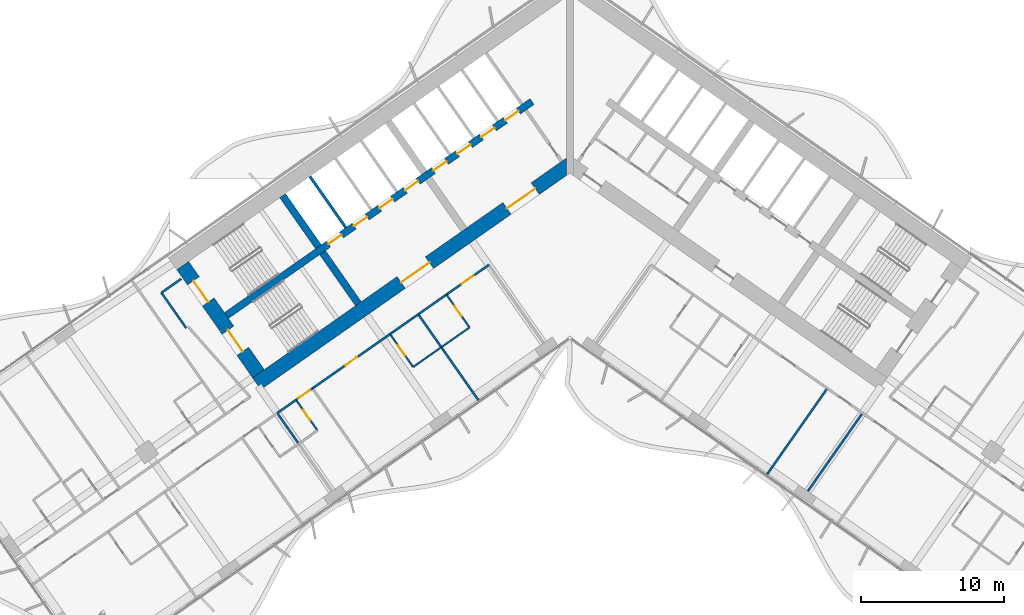
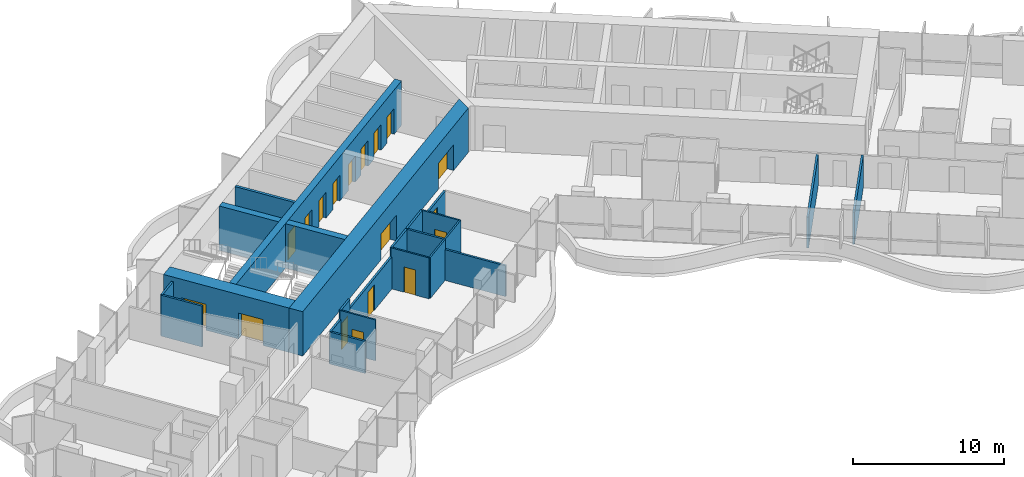
# One storey, part 13 of 23: 24 walls, 18 doors, 18 openings.
"""IFC4 building model written with IfcOpenShell, lengths in metres."""

from ifc_helpers import new_model, si_unit, direction, frame, frame_2d, origin, place, context, subcontext, project, spatial, polyline, rectangle, outline, extrude, material, layer, layer_set, type_object, element, fill, save


model = new_model("IFC4")

# Units and contexts
model_context = context("Model", 3, precision=1e-05, world=origin(), true_north=direction((0.0, 1.0)))
body_context = subcontext(model_context, "Body", "Model", "MODEL_VIEW")
ifc_project = project(units=[si_unit("LENGTHUNIT", "METRE"), si_unit("AREAUNIT", "SQUARE_METRE"), si_unit("VOLUMEUNIT", "CUBIC_METRE"), si_unit("PLANEANGLEUNIT", "RADIAN"), si_unit("MASSUNIT", "GRAM", prefix="KILO")], contexts=[model_context])

# Site, building, storey
site_placement = place(None, origin())
site = spatial("IfcSite", under=ifc_project, at=site_placement, CompositionType="ELEMENT")
building_placement = place(site_placement, origin())
building = spatial("IfcBuilding", under=site, at=building_placement, Name="Tel Ilan Convention Tower", CompositionType="ELEMENT")
storey_placement = place(building_placement, frame((0.0, 0.0, 79.699951171875)))
storey = spatial("IfcBuildingStorey", under=building, at=storey_placement, Name="L15", CompositionType="ELEMENT", Elevation=79.699951171875)

# Wall, openings, doors
ifc_material_1 = material(Name="Concrete C60/75", Category="concrete")
ifc_layer_1 = layer(ifc_material_1, 1.0)
ifc_layer_set_1 = layer_set([ifc_layer_1], Name="Core Shear Wall 1000 mm C60/75")
wall_type_1 = type_object("IfcWallType", Name="Core Shear Wall 1000 mm C60/75", PredefinedType="SHEAR", material=ifc_layer_set_1)
wall_1_placement = place(storey_placement, frame((0.036865234375, -0.584716796875, 0.0), z_axis=(0.0, 0.0, 1.0), x_axis=(-0.819157152511, -0.573569140985, 0.0)))
wall_1 = element("IfcWall", 1, at=wall_1_placement, inside=storey, type_object=wall_type_1, Name="L15 core wall W-front", PredefinedType="SHEAR", context=body_context, shape_type="SweptSolid", body=[
    extrude(outline(polyline([(26.69482421875, 0.500244140625), (0.7001953125, 0.499755859375), (0.0, -0.5), (26.69482421875, -0.499755859375), (26.69482421875, 0.500244140625)])), origin(), (0.0, 0.0, 1.0), 3.60009765625),
])
opening_1_placement = place(wall_1_placement, frame((2.994873046875, 0.0, 0.0)))
opening_1 = element("IfcOpeningElement", 2, at=opening_1_placement, cuts=wall_1, Name="Opening CD1505", PredefinedType="OPENING", context=body_context, shape_type="SweptSolid", body=[
    extrude(rectangle(XDim=2.39990234375, YDim=2.10009765625, at=frame_2d((1.199951171875, 1.050048828125))), frame((0.0, 0.510009765625, 0.0), z_axis=(0.0, -1.0, 0.0), x_axis=(1.0, 0.0, 0.0)), (0.0, 0.0, 1.0), 1.02001953125),
])
opening_2_placement = place(wall_1_placement, frame((11.994873046875, 0.0, 0.0)))
opening_2 = element("IfcOpeningElement", 3, at=opening_2_placement, cuts=wall_1, Name="Opening CD1506", PredefinedType="OPENING", context=body_context, shape_type="SweptSolid", body=[
    extrude(rectangle(XDim=2.39990234375, YDim=2.10009765625, at=frame_2d((1.199951171875, 1.050048828125))), frame((0.0, 0.510009765625, 0.0), z_axis=(0.0, -1.0, 0.0), x_axis=(1.0, 0.0, 0.0)), (0.0, 0.0, 1.0), 1.02001953125),
])
ifc_material_2 = material(Name="Glazed Aluminium Door Leaf", Category="aluminium")
door_type_1 = type_object("IfcDoorType", Name="Lobby Opening Door 2400 x 2100 FD60S", OperationType="NOTDEFINED", PredefinedType="DOOR", material=ifc_material_2)
door_1_placement = place(opening_1_placement, origin())
door_1 = element("IfcDoor", 4, at=door_1_placement, inside=storey, type_object=door_type_1, Name="Lift Lobby LR1-LR4 opening", OperationType="DOUBLE_DOOR_SINGLE_SWING", OverallHeight=2.10009765625, OverallWidth=2.39990234375, PredefinedType="DOOR", context=body_context, shape_type="SweptSolid", body=[
    extrude(rectangle(XDim=2.39990234375, YDim=2.10009765625, at=frame_2d((1.199951171875, 1.050048828125))), frame((0.0, 0.02490234375, 0.0), z_axis=(0.0, -1.0, 0.0), x_axis=(1.0, 0.0, 0.0)), (0.0, 0.0, 1.0), 0.050048828125),
])
fill(opening_1, door_1)
door_2_placement = place(opening_2_placement, origin())
door_2 = element("IfcDoor", 5, at=door_2_placement, inside=storey, type_object=door_type_1, Name="Lift Lobby LR5-LR8 opening", OperationType="DOUBLE_DOOR_SINGLE_SWING", OverallHeight=2.10009765625, OverallWidth=2.39990234375, PredefinedType="DOOR", context=body_context, shape_type="SweptSolid", body=[
    extrude(rectangle(XDim=2.39990234375, YDim=2.10009765625, at=frame_2d((1.199951171875, 1.050048828125))), frame((0.0, 0.02490234375, 0.0), z_axis=(0.0, -1.0, 0.0), x_axis=(1.0, 0.0, 0.0)), (0.0, 0.0, 1.0), 0.050048828125),
])
fill(opening_2, door_2)

wall_2_placement = place(storey_placement, frame((-21.70751953125, -15.19970703125, 0.0), z_axis=(0.0, 0.0, 1.0), x_axis=(-0.573576324356, 0.819152122709, 0.0)))
wall_2 = element("IfcWall", 6, at=wall_2_placement, inside=storey, type_object=wall_type_1, Name="L15 core wall W-end", PredefinedType="SHEAR", context=body_context, shape_type="SweptSolid", body=[
    extrude(outline(polyline([(0.0, 0.5), (0.0, -0.5), (9.199951171875, -0.5), (9.199951171875, 0.5), (0.0, 0.5)])), origin(), (0.0, 0.0, 1.0), 3.60009765625),
])
opening_3_placement = place(wall_2_placement, frame((6.10009765625, 0.0, 0.0)))
opening_3 = element("IfcOpeningElement", 7, at=opening_3_placement, cuts=wall_2, Name="Opening SD1501", PredefinedType="OPENING", context=body_context, shape_type="SweptSolid", body=[
    extrude(rectangle(XDim=1.800048828125, YDim=2.10009765625, at=frame_2d((0.89990234375, 1.050048828125))), frame((0.0, 0.510009765625, 0.0), z_axis=(0.0, -1.0, 0.0), x_axis=(1.0, 0.0, 0.0)), (0.0, 0.0, 1.0), 1.02001953125),
])
opening_4_placement = place(wall_2_placement, frame((1.89990234375, 0.0, 0.0)))
opening_4 = element("IfcOpeningElement", 8, at=opening_4_placement, cuts=wall_2, Name="Opening SD1502", PredefinedType="OPENING", context=body_context, shape_type="SweptSolid", body=[
    extrude(rectangle(XDim=1.800048828125, YDim=2.10009765625, at=frame_2d((0.89990234375, 1.050048828125))), frame((0.0, 0.510009765625, 0.0), z_axis=(0.0, -1.0, 0.0), x_axis=(1.0, 0.0, 0.0)), (0.0, 0.0, 1.0), 1.02001953125),
])
ifc_material_3 = material(Name="Galvanised Steel Door Leaf", Category="steel")
door_type_2 = type_object("IfcDoorType", Name="Stair Fire Door 1800 x 2100 FD60S", OperationType="NOTDEFINED", PredefinedType="DOOR", material=ifc_material_3)
door_3_placement = place(opening_3_placement, origin())
door_3 = element("IfcDoor", 9, at=door_3_placement, inside=storey, type_object=door_type_2, Name="Stair S1 door", OperationType="DOUBLE_DOOR_SINGLE_SWING", OverallHeight=2.10009765625, OverallWidth=1.800048828125, PredefinedType="DOOR", context=body_context, shape_type="SweptSolid", body=[
    extrude(rectangle(XDim=1.800048828125, YDim=2.10009765625, at=frame_2d((0.89990234375, 1.050048828125))), frame((0.0, 0.02490234375, 0.0), z_axis=(0.0, -1.0, 0.0), x_axis=(1.0, 0.0, 0.0)), (0.0, 0.0, 1.0), 0.050048828125),
])
fill(opening_3, door_3)
door_4_placement = place(opening_4_placement, origin())
door_4 = element("IfcDoor", 10, at=door_4_placement, inside=storey, type_object=door_type_2, Name="Stair S2 door", OperationType="DOUBLE_DOOR_SINGLE_SWING", OverallHeight=2.10009765625, OverallWidth=1.800048828125, PredefinedType="DOOR", context=body_context, shape_type="SweptSolid", body=[
    extrude(rectangle(XDim=1.800048828125, YDim=2.10009765625, at=frame_2d((0.89990234375, 1.050048828125))), frame((0.0, 0.02490234375, 0.0), z_axis=(0.0, -1.0, 0.0), x_axis=(1.0, 0.0, 0.0)), (0.0, 0.0, 1.0), 0.050048828125),
])
fill(opening_4, door_4)

# Walls
ifc_material_4 = material(Name="Concrete C60/75", Category="concrete")
ifc_layer_2 = layer(ifc_material_4, 0.5)
ifc_layer_set_2 = layer_set([ifc_layer_2], Name="Core Shear Wall 500 mm C60/75")
wall_type_2 = type_object("IfcWallType", Name="Core Shear Wall 500 mm C60/75", PredefinedType="SHEAR", material=ifc_layer_set_2)
wall_3_placement = place(storey_placement, frame((-14.74462890625, -10.324462890625, 0.0), z_axis=(0.0, 0.0, 1.0), x_axis=(-0.57356780395, 0.819158088694, 0.0)))
element("IfcWall", 11, at=wall_3_placement, inside=storey, type_object=wall_type_2, Name="L15 core wall W-cross2-1", PredefinedType="SHEAR", context=body_context, shape_type="SweptSolid", body=[
    extrude(outline(polyline([(4.35009765625, 0.250244140625), (0.0, 0.25), (0.0, -0.25), (4.35009765625, -0.25), (4.35009765625, 0.250244140625)])), origin(), (0.0, 0.0, 1.0), 3.60009765625),
])
wall_4_placement = place(storey_placement, frame((-17.526611328125, -6.3515625, 0.0), z_axis=(0.0, 0.0, 1.0), x_axis=(-0.573530143085, 0.819184457233, 0.0)))
element("IfcWall", 12, at=wall_4_placement, inside=storey, type_object=wall_type_2, Name="L15 core wall W-cross2-2", PredefinedType="SHEAR", context=body_context, shape_type="SweptSolid", body=[
    extrude(outline(polyline([(4.35009765625, -0.249755859375), (4.35009765625, 0.250244140625), (0.0, 0.25), (0.0, -0.25), (4.35009765625, -0.249755859375)])), origin(), (0.0, 0.0, 1.0), 3.60009765625),
])

# Wall, openings, doors
wall_5_placement = place(storey_placement, frame((-2.638427734375, 3.76806640625, 0.0), z_axis=(0.0, 0.0, 1.0), x_axis=(-0.819148977158, -0.573580816643, 0.0)))
wall_5 = element("IfcWall", 13, at=wall_5_placement, inside=storey, type_object=wall_type_2, Name="L15 core wall W-spine", PredefinedType="SHEAR", context=body_context, shape_type="SweptSolid", body=[
    extrude(outline(polyline([(26.0, 0.249755859375), (0.0, 0.25), (0.0, -0.25), (26.0, -0.250244140625), (26.0, 0.249755859375)])), origin(), (0.0, 0.0, 1.0), 3.60009765625),
])
opening_5_placement = place(wall_5_placement, frame((1.168701171875, 0.0, 0.0)))
opening_5 = element("IfcOpeningElement", 14, at=opening_5_placement, cuts=wall_5, Name="Opening LD1504", PredefinedType="OPENING", context=body_context, shape_type="SweptSolid", body=[
    extrude(rectangle(XDim=1.10009765625, YDim=2.10009765625, at=frame_2d((0.550048828125, 1.050048828125))), frame((0.0, 0.260009765625, 0.0), z_axis=(0.0, -1.0, 0.0), x_axis=(1.0, 0.0, 0.0)), (0.0, 0.0, 1.0), 0.52001953125),
])
opening_6_placement = place(wall_5_placement, frame((3.206298828125, 0.0, 0.0)))
opening_6 = element("IfcOpeningElement", 15, at=opening_6_placement, cuts=wall_5, Name="Opening LD1505", PredefinedType="OPENING", context=body_context, shape_type="SweptSolid", body=[
    extrude(rectangle(XDim=1.10009765625, YDim=2.10009765625, at=frame_2d((0.550048828125, 1.050048828125))), frame((0.0, 0.260009765625, 0.0), z_axis=(0.0, -1.0, 0.0), x_axis=(1.0, 0.0, 0.0)), (0.0, 0.0, 1.0), 0.52001953125),
])
opening_7_placement = place(wall_5_placement, frame((5.24365234375, 0.0, 0.0)))
opening_7 = element("IfcOpeningElement", 16, at=opening_7_placement, cuts=wall_5, Name="Opening LD1506", PredefinedType="OPENING", context=body_context, shape_type="SweptSolid", body=[
    extrude(rectangle(XDim=1.10009765625, YDim=2.10009765625, at=frame_2d((0.550048828125, 1.050048828125))), frame((0.0, 0.260009765625, 0.0), z_axis=(0.0, -1.0, 0.0), x_axis=(1.0, 0.0, 0.0)), (0.0, 0.0, 1.0), 0.52001953125),
])
opening_8_placement = place(wall_5_placement, frame((7.28125, 0.0, 0.0)))
opening_8 = element("IfcOpeningElement", 17, at=opening_8_placement, cuts=wall_5, Name="Opening LD1507", PredefinedType="OPENING", context=body_context, shape_type="SweptSolid", body=[
    extrude(rectangle(XDim=1.10009765625, YDim=2.10009765625, at=frame_2d((0.550048828125, 1.050048828125))), frame((0.0, 0.260009765625, 0.0), z_axis=(0.0, -1.0, 0.0), x_axis=(1.0, 0.0, 0.0)), (0.0, 0.0, 1.0), 0.52001953125),
])
opening_9_placement = place(wall_5_placement, frame((9.6875, 0.0, 0.0)))
opening_9 = element("IfcOpeningElement", 18, at=opening_9_placement, cuts=wall_5, Name="Opening LD1508", PredefinedType="OPENING", context=body_context, shape_type="SweptSolid", body=[
    extrude(rectangle(XDim=1.10009765625, YDim=2.10009765625, at=frame_2d((0.550048828125, 1.050048828125))), frame((0.0, 0.260009765625, 0.0), z_axis=(0.0, -1.0, 0.0), x_axis=(1.0, 0.0, 0.0)), (0.0, 0.0, 1.0), 0.52001953125),
])
opening_10_placement = place(wall_5_placement, frame((11.862548828125, 0.0, 0.0)))
opening_10 = element("IfcOpeningElement", 19, at=opening_10_placement, cuts=wall_5, Name="Opening LD1509", PredefinedType="OPENING", context=body_context, shape_type="SweptSolid", body=[
    extrude(rectangle(XDim=1.10009765625, YDim=2.10009765625, at=frame_2d((0.550048828125, 1.050048828125))), frame((0.0, 0.260009765625, 0.0), z_axis=(0.0, -1.0, 0.0), x_axis=(1.0, 0.0, 0.0)), (0.0, 0.0, 1.0), 0.52001953125),
])
opening_11_placement = place(wall_5_placement, frame((14.03759765625, 0.0, 0.0)))
opening_11 = element("IfcOpeningElement", 20, at=opening_11_placement, cuts=wall_5, Name="Opening LD1510", PredefinedType="OPENING", context=body_context, shape_type="SweptSolid", body=[
    extrude(rectangle(XDim=1.10009765625, YDim=2.10009765625, at=frame_2d((0.550048828125, 1.050048828125))), frame((0.0, 0.260009765625, 0.0), z_axis=(0.0, -1.0, 0.0), x_axis=(1.0, 0.0, 0.0)), (0.0, 0.0, 1.0), 0.52001953125),
])
opening_12_placement = place(wall_5_placement, frame((16.21240234375, 0.0, 0.0)))
opening_12 = element("IfcOpeningElement", 21, at=opening_12_placement, cuts=wall_5, Name="Opening LD1511", PredefinedType="OPENING", context=body_context, shape_type="SweptSolid", body=[
    extrude(rectangle(XDim=1.10009765625, YDim=2.10009765625, at=frame_2d((0.550048828125, 1.050048828125))), frame((0.0, 0.260009765625, 0.0), z_axis=(0.0, -1.0, 0.0), x_axis=(1.0, 0.0, 0.0)), (0.0, 0.0, 1.0), 0.52001953125),
])
ifc_material_5 = material(Name="Stainless Steel Sliding Door Leaf", Category="steel")
door_type_3 = type_object("IfcDoorType", Name="Lift Landing Door 1100 x 2100 FD120", OperationType="NOTDEFINED", PredefinedType="DOOR", material=ifc_material_5)
door_5_placement = place(opening_5_placement, origin())
door_5 = element("IfcDoor", 22, at=door_5_placement, inside=storey, type_object=door_type_3, Name="Lift LR1 landing door", OperationType="SLIDING_TO_LEFT", OverallHeight=2.10009765625, OverallWidth=1.10009765625, PredefinedType="DOOR", context=body_context, shape_type="SweptSolid", body=[
    extrude(rectangle(XDim=1.10009765625, YDim=2.10009765625, at=frame_2d((0.550048828125, 1.050048828125))), frame((0.0, 0.02490234375, 0.0), z_axis=(0.0, -1.0, 0.0), x_axis=(1.0, 0.0, 0.0)), (0.0, 0.0, 1.0), 0.050048828125),
])
fill(opening_5, door_5)
door_6_placement = place(opening_6_placement, origin())
door_6 = element("IfcDoor", 23, at=door_6_placement, inside=storey, type_object=door_type_3, Name="Lift LR2 landing door", OperationType="SLIDING_TO_RIGHT", OverallHeight=2.10009765625, OverallWidth=1.10009765625, PredefinedType="DOOR", context=body_context, shape_type="SweptSolid", body=[
    extrude(rectangle(XDim=1.10009765625, YDim=2.10009765625, at=frame_2d((0.550048828125, 1.050048828125))), frame((0.0, 0.02490234375, 0.0), z_axis=(0.0, -1.0, 0.0), x_axis=(1.0, 0.0, 0.0)), (0.0, 0.0, 1.0), 0.050048828125),
])
fill(opening_6, door_6)
door_7_placement = place(opening_7_placement, origin())
door_7 = element("IfcDoor", 24, at=door_7_placement, inside=storey, type_object=door_type_3, Name="Lift LR3 landing door", OperationType="SLIDING_TO_LEFT", OverallHeight=2.10009765625, OverallWidth=1.10009765625, PredefinedType="DOOR", context=body_context, shape_type="SweptSolid", body=[
    extrude(rectangle(XDim=1.10009765625, YDim=2.10009765625, at=frame_2d((0.550048828125, 1.050048828125))), frame((0.0, 0.02490234375, 0.0), z_axis=(0.0, -1.0, 0.0), x_axis=(1.0, 0.0, 0.0)), (0.0, 0.0, 1.0), 0.050048828125),
])
fill(opening_7, door_7)
door_8_placement = place(opening_8_placement, origin())
door_8 = element("IfcDoor", 25, at=door_8_placement, inside=storey, type_object=door_type_3, Name="Lift LR4 landing door", OperationType="SLIDING_TO_RIGHT", OverallHeight=2.10009765625, OverallWidth=1.10009765625, PredefinedType="DOOR", context=body_context, shape_type="SweptSolid", body=[
    extrude(rectangle(XDim=1.10009765625, YDim=2.10009765625, at=frame_2d((0.550048828125, 1.050048828125))), frame((0.0, 0.02490234375, 0.0), z_axis=(0.0, -1.0, 0.0), x_axis=(1.0, 0.0, 0.0)), (0.0, 0.0, 1.0), 0.050048828125),
])
fill(opening_8, door_8)
door_9_placement = place(opening_9_placement, origin())
door_9 = element("IfcDoor", 26, at=door_9_placement, inside=storey, type_object=door_type_3, Name="Lift LR5 landing door", OperationType="SLIDING_TO_LEFT", OverallHeight=2.10009765625, OverallWidth=1.10009765625, PredefinedType="DOOR", context=body_context, shape_type="SweptSolid", body=[
    extrude(rectangle(XDim=1.10009765625, YDim=2.10009765625, at=frame_2d((0.550048828125, 1.050048828125))), frame((0.0, 0.02490234375, 0.0), z_axis=(0.0, -1.0, 0.0), x_axis=(1.0, 0.0, 0.0)), (0.0, 0.0, 1.0), 0.050048828125),
])
fill(opening_9, door_9)
door_10_placement = place(opening_10_placement, origin())
door_10 = element("IfcDoor", 27, at=door_10_placement, inside=storey, type_object=door_type_3, Name="Lift LR6 landing door", OperationType="SLIDING_TO_RIGHT", OverallHeight=2.10009765625, OverallWidth=1.10009765625, PredefinedType="DOOR", context=body_context, shape_type="SweptSolid", body=[
    extrude(rectangle(XDim=1.10009765625, YDim=2.10009765625, at=frame_2d((0.550048828125, 1.050048828125))), frame((0.0, 0.02490234375, 0.0), z_axis=(0.0, -1.0, 0.0), x_axis=(1.0, 0.0, 0.0)), (0.0, 0.0, 1.0), 0.050048828125),
])
fill(opening_10, door_10)
door_11_placement = place(opening_11_placement, origin())
door_11 = element("IfcDoor", 28, at=door_11_placement, inside=storey, type_object=door_type_3, Name="Lift LR7 landing door", OperationType="SLIDING_TO_LEFT", OverallHeight=2.10009765625, OverallWidth=1.10009765625, PredefinedType="DOOR", context=body_context, shape_type="SweptSolid", body=[
    extrude(rectangle(XDim=1.10009765625, YDim=2.10009765625, at=frame_2d((0.550048828125, 1.050048828125))), frame((0.0, 0.02490234375, 0.0), z_axis=(0.0, -1.0, 0.0), x_axis=(1.0, 0.0, 0.0)), (0.0, 0.0, 1.0), 0.050048828125),
])
fill(opening_11, door_11)
door_12_placement = place(opening_12_placement, origin())
door_12 = element("IfcDoor", 29, at=door_12_placement, inside=storey, type_object=door_type_3, Name="Lift LR8 landing door", OperationType="SLIDING_TO_RIGHT", OverallHeight=2.10009765625, OverallWidth=1.10009765625, PredefinedType="DOOR", context=body_context, shape_type="SweptSolid", body=[
    extrude(rectangle(XDim=1.10009765625, YDim=2.10009765625, at=frame_2d((0.550048828125, 1.050048828125))), frame((0.0, 0.02490234375, 0.0), z_axis=(0.0, -1.0, 0.0), x_axis=(1.0, 0.0, 0.0)), (0.0, 0.0, 1.0), 0.050048828125),
])
fill(opening_12, door_12)

# Wall, opening, door
ifc_material_6 = material(Name="Plasterboard on Steel Studs", Category="steel")
ifc_layer_3 = layer(ifc_material_6, 0.14990234375)
ifc_layer_set_3 = layer_set([ifc_layer_3], Name="Fire-rated Partition 150 EI 60")
wall_type_3 = type_object("IfcWallType", Name="Fire-rated Partition 150 EI 60", PredefinedType="PARTITIONING", material=ifc_layer_set_3)
wall_6_placement = place(storey_placement, frame((-5.651611328125, -7.61962890625, 0.0), z_axis=(0.0, 0.0, 1.0), x_axis=(-0.819149096931, -0.573580645591, 0.0)))
wall_6 = element("IfcWall", 30, at=wall_6_placement, inside=storey, type_object=wall_type_3, Name="Partition 024", PredefinedType="PARTITIONING", context=body_context, shape_type="SweptSolid", body=[
    extrude(rectangle(XDim=3.600830078125, YDim=0.14990234375, at=frame_2d((1.80029296875, 0.0))), origin(), (0.0, 0.0, 1.0), 2.60009765625),
])
opening_13_placement = place(wall_6_placement, frame((1.300048828125, 0.0, 0.0)))
opening_13 = element("IfcOpeningElement", 31, at=opening_13_placement, cuts=wall_6, Name="Opening L15-002", PredefinedType="OPENING", context=body_context, shape_type="SweptSolid", body=[
    extrude(rectangle(XDim=1.0, YDim=2.10009765625, at=frame_2d((0.5, 1.050048828125))), frame((0.0, 0.0849609375, 0.0), z_axis=(0.0, -1.0, 0.0), x_axis=(1.0, 0.0, 0.0)), (0.0, 0.0, 1.0), 0.169921875),
])
ifc_material_7 = material(Name="Timber Door Leaf in Steel Frame", Category="steel")
door_type_4 = type_object("IfcDoorType", Name="Hotel Room Entrance Fire Door 1000x2100", OperationType="NOTDEFINED", PredefinedType="DOOR", material=ifc_material_7)
door_13_placement = place(opening_13_placement, origin())
door_13 = element("IfcDoor", 32, at=door_13_placement, inside=storey, type_object=door_type_4, Name="Door L15-002", OperationType="SINGLE_SWING_RIGHT", OverallHeight=2.10009765625, OverallWidth=1.0, PredefinedType="DOOR", context=body_context, shape_type="SweptSolid", body=[
    extrude(rectangle(XDim=1.0, YDim=2.10009765625, at=frame_2d((0.5, 1.050048828125))), frame((0.0, 0.02490234375, 0.0), z_axis=(0.0, -1.0, 0.0), x_axis=(1.0, 0.0, 0.0)), (0.0, 0.0, 1.0), 0.050048828125),
])
fill(opening_13, door_13)

# Wall
wall_7_placement = place(storey_placement, frame((-8.598876953125, -9.683349609375, 0.0), z_axis=(0.0, 0.0, 1.0), x_axis=(-0.819146032251, -0.573585022335, 0.0)))
element("IfcWall", 33, at=wall_7_placement, inside=storey, type_object=wall_type_3, Name="Partition 025", PredefinedType="PARTITIONING", context=body_context, shape_type="SweptSolid", body=[
    extrude(rectangle(XDim=2.404052734375, YDim=0.14990234375, at=frame_2d((1.2021484375, 0.0))), origin(), (0.0, 0.0, 1.0), 3.320068359375),
])

# Wall, opening, door
wall_8_placement = place(storey_placement, frame((-12.53173828125, -12.43701171875, 0.0), z_axis=(0.0, 0.0, 1.0), x_axis=(-0.819153746897, -0.573574004767, 0.0)))
wall_8 = element("IfcWall", 34, at=wall_8_placement, inside=storey, type_object=wall_type_3, Name="Partition 026", PredefinedType="PARTITIONING", context=body_context, shape_type="SweptSolid", body=[
    extrude(rectangle(XDim=6.60302734375, YDim=0.14990234375, at=frame_2d((3.301513671875, 0.0))), origin(), (0.0, 0.0, 1.0), 2.60009765625),
])
opening_14_placement = place(wall_8_placement, frame((2.801025390625, 0.0, 0.0)))
opening_14 = element("IfcOpeningElement", 35, at=opening_14_placement, cuts=wall_8, Name="Opening L15-004", PredefinedType="OPENING", context=body_context, shape_type="SweptSolid", body=[
    extrude(rectangle(XDim=1.0, YDim=2.10009765625, at=frame_2d((0.5, 1.050048828125))), frame((0.0, 0.0849609375, 0.0), z_axis=(0.0, -1.0, 0.0), x_axis=(1.0, 0.0, 0.0)), (0.0, 0.0, 1.0), 0.169921875),
])
door_14_placement = place(opening_14_placement, origin())
door_14 = element("IfcDoor", 36, at=door_14_placement, inside=storey, type_object=door_type_4, Name="Door L15-004", OperationType="SINGLE_SWING_LEFT", OverallHeight=2.10009765625, OverallWidth=1.0, PredefinedType="DOOR", context=body_context, shape_type="SweptSolid", body=[
    extrude(rectangle(XDim=1.0, YDim=2.10009765625, at=frame_2d((0.5, 1.050048828125))), frame((0.0, 0.02490234375, 0.0), z_axis=(0.0, -1.0, 0.0), x_axis=(1.0, 0.0, 0.0)), (0.0, 0.0, 1.0), 0.050048828125),
])
fill(opening_14, door_14)

# Wall
wall_9_placement = place(storey_placement, frame((-10.56494140625, -11.06005859375, 0.0), z_axis=(0.0, 0.0, 1.0), x_axis=(-0.819193748, -0.57351687267, 0.0)))
element("IfcWall", 37, at=wall_9_placement, inside=storey, type_object=wall_type_3, Name="Partition 027", PredefinedType="PARTITIONING", context=body_context, shape_type="SweptSolid", body=[
    extrude(rectangle(XDim=2.40380859375, YDim=0.14990234375, at=frame_2d((1.201904296875, 0.0))), origin(), (0.0, 0.0, 1.0), 3.320068359375),
])

# Wall, opening, door
wall_10_placement = place(storey_placement, frame((-17.937255859375, -16.22216796875, 0.0), z_axis=(0.0, 0.0, 1.0), x_axis=(-0.819199220913, -0.573509055252, 0.0)))
wall_10 = element("IfcWall", 38, at=wall_10_placement, inside=storey, type_object=wall_type_3, Name="Partition 028", PredefinedType="PARTITIONING", context=body_context, shape_type="SweptSolid", body=[
    extrude(rectangle(XDim=1.403076171875, YDim=0.14990234375, at=frame_2d((0.70166015625, 0.0))), origin(), (0.0, 0.0, 1.0), 3.320068359375),
])
opening_15_placement = place(wall_10_placement, frame((0.201904296875, 0.0, 0.0)))
opening_15 = element("IfcOpeningElement", 39, at=opening_15_placement, cuts=wall_10, Name="Opening L15-006", PredefinedType="OPENING", context=body_context, shape_type="SweptSolid", body=[
    extrude(rectangle(XDim=1.0, YDim=2.10009765625, at=frame_2d((0.5, 1.050048828125))), frame((0.0, 0.0849609375, 0.0), z_axis=(0.0, -1.0, 0.0), x_axis=(1.0, 0.0, 0.0)), (0.0, 0.0, 1.0), 0.169921875),
])
door_15_placement = place(opening_15_placement, origin())
door_15 = element("IfcDoor", 40, at=door_15_placement, inside=storey, type_object=door_type_4, Name="Door L15-006", OperationType="SINGLE_SWING_LEFT", OverallHeight=2.10009765625, OverallWidth=1.0, PredefinedType="DOOR", context=body_context, shape_type="SweptSolid", body=[
    extrude(rectangle(XDim=1.0, YDim=2.10009765625, at=frame_2d((0.5, 1.050048828125))), frame((0.0, 0.02490234375, 0.0), z_axis=(0.0, -1.0, 0.0), x_axis=(1.0, 0.0, 0.0)), (0.0, 0.0, 1.0), 0.050048828125),
])
fill(opening_15, door_15)

# Walls
wall_11_placement = place(storey_placement, frame((-19.083984375, -17.025146484375, 0.0), z_axis=(0.0, 0.0, 1.0), x_axis=(-0.819117502046, -0.573625764625, 0.0)))
element("IfcWall", 41, at=wall_11_placement, inside=storey, type_object=wall_type_3, Name="Partition 029", PredefinedType="PARTITIONING", context=body_context, shape_type="SweptSolid", body=[
    extrude(rectangle(XDim=1.60400390625, YDim=0.14990234375, at=frame_2d((0.802001953125, 0.0))), origin(), (0.0, 0.0, 1.0), 2.60009765625),
])
wall_12_placement = place(storey_placement, frame((17.93896484375, -16.223388671875, 0.0), z_axis=(0.0, 0.0, 1.0), x_axis=(-0.573594765376, -0.819139209862, 0.0)))
element("IfcWall", 42, at=wall_12_placement, inside=storey, type_object=wall_type_3, Name="Partition 055", PredefinedType="PARTITIONING", context=body_context, shape_type="SweptSolid", body=[
    extrude(rectangle(XDim=7.300048828125, YDim=0.14990234375, at=frame_2d((3.64990234375, 0.0))), origin(), (0.0, 0.0, 1.0), 2.5),
])
wall_13_placement = place(storey_placement, frame((20.396484375, -17.944091796875, 0.0), z_axis=(0.0, 0.0, 1.0), x_axis=(-0.57359826181, -0.819136761505, 0.0)))
element("IfcWall", 43, at=wall_13_placement, inside=storey, type_object=wall_type_3, Name="Partition 056", PredefinedType="PARTITIONING", context=body_context, shape_type="SweptSolid", body=[
    extrude(rectangle(XDim=6.630126953125, YDim=0.14990234375, at=frame_2d((3.31494140625, 0.0))), origin(), (0.0, 0.0, 1.0), 2.60009765625),
])
wall_14_placement = place(storey_placement, frame((-26.74609375, -12.013671875, 0.0), z_axis=(0.0, 0.0, 1.0), x_axis=(-0.573560650686, 0.819163097304, 0.0)))
element("IfcWall", 44, at=wall_14_placement, inside=storey, type_object=wall_type_3, Name="Partition 065", PredefinedType="PARTITIONING", context=body_context, shape_type="SweptSolid", body=[
    extrude(rectangle(XDim=3.0, YDim=0.14990234375, at=frame_2d((1.5, 0.0))), origin(), (0.0, 0.0, 1.0), 3.320068359375),
])
wall_15_placement = place(storey_placement, frame((-28.466796875, -9.55615234375, 0.0), z_axis=(0.0, 0.0, 1.0), x_axis=(0.819109000826, 0.573637903879, 0.0)))
element("IfcWall", 45, at=wall_15_placement, inside=storey, type_object=wall_type_3, Name="Partition 066", PredefinedType="PARTITIONING", context=body_context, shape_type="SweptSolid", body=[
    extrude(rectangle(XDim=1.679931640625, YDim=0.14990234375, at=frame_2d((0.83984375, 0.0))), origin(), (0.0, 0.0, 1.0), 3.320068359375),
])
wall_16_placement = place(storey_placement, frame((-6.37939453125, -17.041015625, 0.0), z_axis=(0.0, 0.0, 1.0), x_axis=(-0.573564311442, 0.819160534108, 0.0)))
element("IfcWall", 46, at=wall_16_placement, inside=storey, type_object=wall_type_3, Name="Partition 081", PredefinedType="PARTITIONING", context=body_context, shape_type="SweptSolid", body=[
    extrude(rectangle(XDim=4.499267578125, YDim=0.14990234375, at=frame_2d((2.24951171875, 0.0))), origin(), (0.0, 0.0, 1.0), 2.5),
])
wall_17_placement = place(storey_placement, frame((-8.96044921875, -13.354736328125, 0.0), z_axis=(0.0, 0.0, 1.0), x_axis=(-0.573608623498, 0.819129505664, 0.0)))
element("IfcWall", 47, at=wall_17_placement, inside=storey, type_object=wall_type_3, Name="Partition 082", PredefinedType="PARTITIONING", context=body_context, shape_type="SweptSolid", body=[
    extrude(rectangle(XDim=2.800048828125, YDim=0.14990234375, at=frame_2d((1.39990234375, 0.0))), origin(), (0.0, 0.0, 1.0), 3.320068359375),
])
wall_18_placement = place(storey_placement, frame((-18.905029296875, -20.07373046875, 0.0), z_axis=(0.0, 0.0, 1.0), x_axis=(-0.573645091666, 0.819103967032, 0.0)))
element("IfcWall", 48, at=wall_18_placement, inside=storey, type_object=wall_type_3, Name="Partition 089", PredefinedType="PARTITIONING", context=body_context, shape_type="SweptSolid", body=[
    extrude(rectangle(XDim=2.599853515625, YDim=0.14990234375, at=frame_2d((1.2998046875, 0.0))), origin(), (0.0, 0.0, 1.0), 2.60009765625),
])
ifc_material_8 = material(Name="Concrete C30/37", Category="concrete")
ifc_layer_4 = layer(ifc_material_8, 0.199951171875)
ifc_layer_set_4 = layer_set([ifc_layer_4], Name="Lift Shaft Wall 200 mm C30/37")
wall_type_4 = type_object("IfcWallType", Name="Lift Shaft Wall 200 mm C30/37", PredefinedType="SOLIDWALL", material=ifc_layer_set_4)
wall_19_placement = place(storey_placement, frame((-15.6220703125, -5.017822265625, 0.0), z_axis=(0.0, 0.0, 1.0), x_axis=(-0.573594173421, 0.819139624372, 0.0)))
element("IfcWall", 49, at=wall_19_placement, inside=storey, type_object=wall_type_4, Name="L15 core wall bank-W2-p2", PredefinedType="SOLIDWALL", context=body_context, shape_type="SweptSolid", body=[
    extrude(rectangle(XDim=4.349853515625, YDim=0.199951171875, at=frame_2d((2.1748046875, 0.0))), origin(), (0.0, 0.0, 1.0), 3.60009765625),
])
ifc_material_9 = material(Name="Plasterboard on Steel Studs", Category="steel")
ifc_layer_5 = layer(ifc_material_9, 0.1201171875)
ifc_layer_set_5 = layer_set([ifc_layer_5], Name="Moisture-resistant Partition 120")
wall_type_5 = type_object("IfcWallType", Name="Moisture-resistant Partition 120", PredefinedType="PARTITIONING", material=ifc_layer_set_5)
wall_20_placement = place(storey_placement, frame((-8.9599609375, -13.35546875, 0.0), z_axis=(0.0, 0.0, 1.0), x_axis=(0.819188907105, 0.573523787192, 0.0)))
element("IfcWall", 50, at=wall_20_placement, inside=storey, type_object=wall_type_5, Name="Partition 079", PredefinedType="PARTITIONING", context=body_context, shape_type="SweptSolid", body=[
    extrude(rectangle(XDim=2.39990234375, YDim=0.1201171875, at=frame_2d((1.199951171875, 0.0))), origin(), (0.0, 0.0, 1.0), 3.320068359375),
])

# Wall, opening, door
wall_21_placement = place(storey_placement, frame((-6.993896484375, -11.9775390625, 0.0), z_axis=(0.0, 0.0, 1.0), x_axis=(-0.573550118428, 0.819170471667, 0.0)))
wall_21 = element("IfcWall", 51, at=wall_21_placement, inside=storey, type_object=wall_type_5, Name="Partition 080", PredefinedType="PARTITIONING", context=body_context, shape_type="SweptSolid", body=[
    extrude(rectangle(XDim=2.800048828125, YDim=0.1201171875, at=frame_2d((1.39990234375, 0.0))), origin(), (0.0, 0.0, 1.0), 3.320068359375),
])
opening_16_placement = place(wall_21_placement, frame((0.97509765625, 0.0, 0.0)))
opening_16 = element("IfcOpeningElement", 52, at=opening_16_placement, cuts=wall_21, Name="Opening L15-001", PredefinedType="OPENING", context=body_context, shape_type="SweptSolid", body=[
    extrude(rectangle(XDim=0.85009765625, YDim=2.050048828125, at=frame_2d((0.425048828125, 1.02490234375))), frame((0.0, 0.070068359375, 0.0), z_axis=(0.0, -1.0, 0.0), x_axis=(1.0, 0.0, 0.0)), (0.0, 0.0, 1.0), 0.14013671875),
])
ifc_material_10 = material(Name="Timber Door Leaf in Steel Frame", Category="steel")
door_type_5 = type_object("IfcDoorType", Name="Bathroom Timber Door 850x2050", OperationType="NOTDEFINED", PredefinedType="DOOR", material=ifc_material_10)
door_16_placement = place(opening_16_placement, origin())
door_16 = element("IfcDoor", 53, at=door_16_placement, inside=storey, type_object=door_type_5, Name="Door L15-001", OperationType="SINGLE_SWING_LEFT", OverallHeight=2.050048828125, OverallWidth=0.85009765625, PredefinedType="DOOR", context=body_context, shape_type="SweptSolid", body=[
    extrude(rectangle(XDim=0.85009765625, YDim=2.050048828125, at=frame_2d((0.425048828125, 1.02490234375))), frame((0.0, 0.02490234375, 0.0), z_axis=(0.0, -1.0, 0.0), x_axis=(1.0, 0.0, 0.0)), (0.0, 0.0, 1.0), 0.050048828125),
])
fill(opening_16, door_16)

wall_22_placement = place(storey_placement, frame((-12.533203125, -12.438232421875, 0.0), z_axis=(0.0, 0.0, 1.0), x_axis=(0.573550118428, -0.819170471667, 0.0)))
wall_22 = element("IfcWall", 54, at=wall_22_placement, inside=storey, type_object=wall_type_5, Name="Partition 083", PredefinedType="PARTITIONING", context=body_context, shape_type="SweptSolid", body=[
    extrude(rectangle(XDim=2.800048828125, YDim=0.1201171875, at=frame_2d((1.39990234375, 0.0))), origin(), (0.0, 0.0, 1.0), 3.320068359375),
])
opening_17_placement = place(wall_22_placement, frame((0.97509765625, 0.0, 0.0)))
opening_17 = element("IfcOpeningElement", 55, at=opening_17_placement, cuts=wall_22, Name="Opening L15-003", PredefinedType="OPENING", context=body_context, shape_type="SweptSolid", body=[
    extrude(rectangle(XDim=0.85009765625, YDim=2.050048828125, at=frame_2d((0.425048828125, 1.02490234375))), frame((0.0, 0.070068359375, 0.0), z_axis=(0.0, -1.0, 0.0), x_axis=(1.0, 0.0, 0.0)), (0.0, 0.0, 1.0), 0.14013671875),
])
door_17_placement = place(opening_17_placement, origin())
door_17 = element("IfcDoor", 56, at=door_17_placement, inside=storey, type_object=door_type_5, Name="Door L15-003", OperationType="SINGLE_SWING_LEFT", OverallHeight=2.050048828125, OverallWidth=0.85009765625, PredefinedType="DOOR", context=body_context, shape_type="SweptSolid", body=[
    extrude(rectangle(XDim=0.85009765625, YDim=2.050048828125, at=frame_2d((0.425048828125, 1.02490234375))), frame((0.0, 0.02490234375, 0.0), z_axis=(0.0, -1.0, 0.0), x_axis=(1.0, 0.0, 0.0)), (0.0, 0.0, 1.0), 0.050048828125),
])
fill(opening_17, door_17)

# Wall
wall_23_placement = place(storey_placement, frame((-10.92578125, -14.732177734375, 0.0), z_axis=(0.0, 0.0, 1.0), x_axis=(0.819107643868, 0.573639841501, 0.0)))
element("IfcWall", 57, at=wall_23_placement, inside=storey, type_object=wall_type_5, Name="Partition 084", PredefinedType="PARTITIONING", context=body_context, shape_type="SweptSolid", body=[
    extrude(rectangle(XDim=2.39990234375, YDim=0.1201171875, at=frame_2d((1.199951171875, 0.0))), origin(), (0.0, 0.0, 1.0), 3.320068359375),
])

# Wall, opening, door
wall_24_placement = place(storey_placement, frame((-17.593505859375, -19.155517578125, 0.0), z_axis=(0.0, 0.0, 1.0), x_axis=(-0.573600972199, 0.819134863556, 0.0)))
wall_24 = element("IfcWall", 58, at=wall_24_placement, inside=storey, type_object=wall_type_5, Name="Partition 087", PredefinedType="PARTITIONING", context=body_context, shape_type="SweptSolid", body=[
    extrude(rectangle(XDim=2.60009765625, YDim=0.1201171875, at=frame_2d((1.300048828125, 0.0))), origin(), (0.0, 0.0, 1.0), 3.320068359375),
])
opening_18_placement = place(wall_24_placement, frame((0.875, 0.0, 0.0)))
opening_18 = element("IfcOpeningElement", 59, at=opening_18_placement, cuts=wall_24, Name="Opening L15-005", PredefinedType="OPENING", context=body_context, shape_type="SweptSolid", body=[
    extrude(rectangle(XDim=0.85009765625, YDim=2.050048828125, at=frame_2d((0.425048828125, 1.02490234375))), frame((0.0, 0.070068359375, 0.0), z_axis=(0.0, -1.0, 0.0), x_axis=(1.0, 0.0, 0.0)), (0.0, 0.0, 1.0), 0.14013671875),
])
door_18_placement = place(opening_18_placement, origin())
door_18 = element("IfcDoor", 60, at=door_18_placement, inside=storey, type_object=door_type_5, Name="Door L15-005", OperationType="SINGLE_SWING_RIGHT", OverallHeight=2.050048828125, OverallWidth=0.85009765625, PredefinedType="DOOR", context=body_context, shape_type="SweptSolid", body=[
    extrude(rectangle(XDim=0.85009765625, YDim=2.050048828125, at=frame_2d((0.425048828125, 1.02490234375))), frame((0.0, 0.02490234375, 0.0), z_axis=(0.0, -1.0, 0.0), x_axis=(1.0, 0.0, 0.0)), (0.0, 0.0, 1.0), 0.050048828125),
])
fill(opening_18, door_18)

save(model, "model.ifc")
